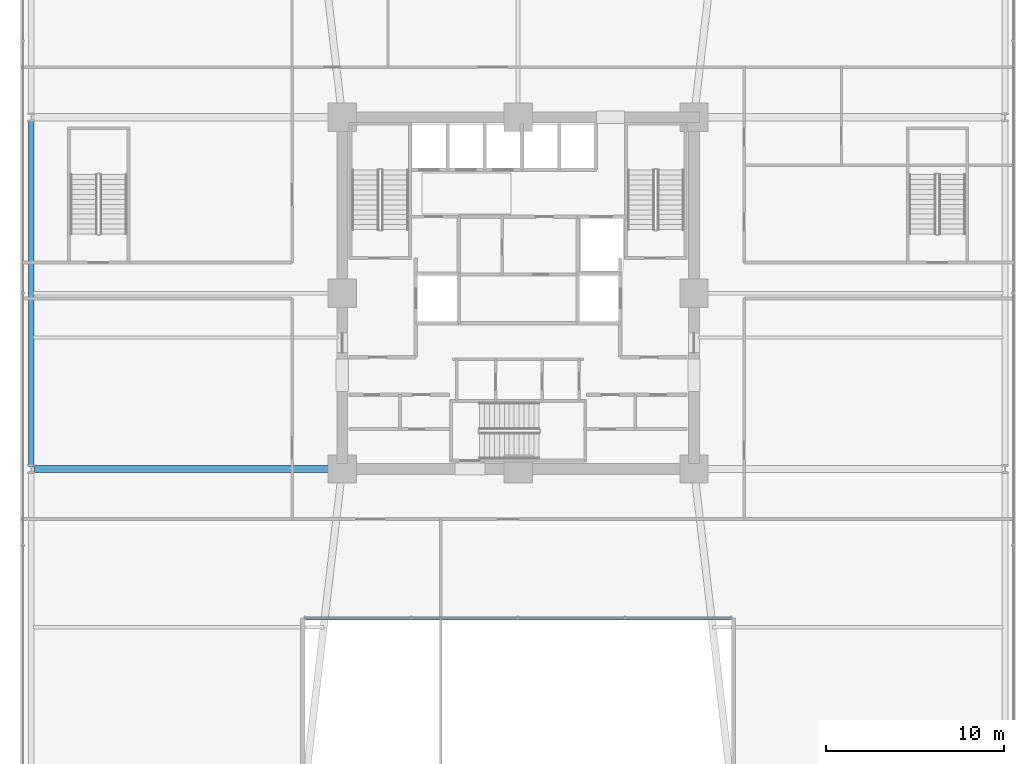
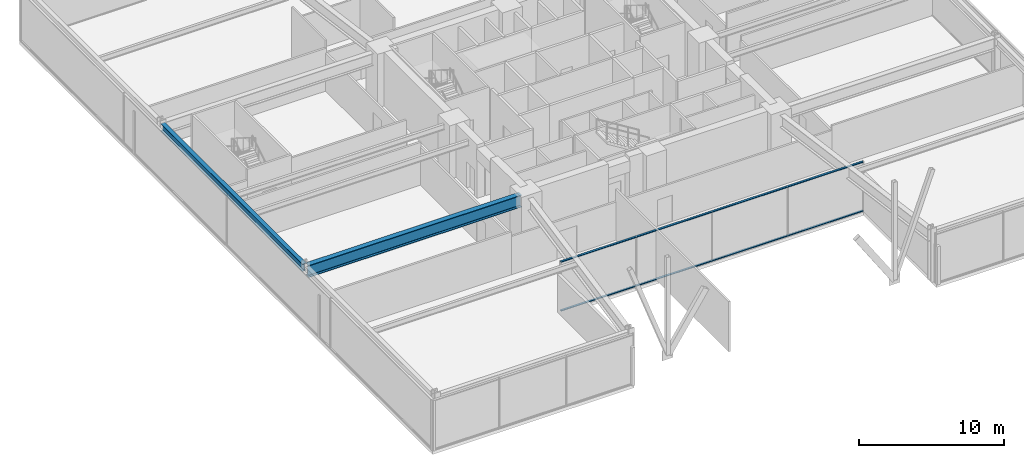
# One storey, part 11 of 47: 2 beams, 2 members, 1 element without a shape of its own.
"""IFC4 building model written with IfcOpenShell, lengths in metres."""

from ifc_helpers import new_model, si_unit, direction, frame, origin, origin_2d, place, context, subcontext, project, spatial, hollow_rectangle, i_section, extrude, material, material_profile, profile_set, type_object, element, aggregate, save


model = new_model("IFC4")

# Units and contexts
model_context = context("Model", 3, precision=1e-05, world=origin(), true_north=direction((0.0, 1.0)))
body_context = subcontext(model_context, "Body", "Model", "MODEL_VIEW")
ifc_project = project(units=[si_unit("LENGTHUNIT", "METRE"), si_unit("AREAUNIT", "SQUARE_METRE"), si_unit("VOLUMEUNIT", "CUBIC_METRE"), si_unit("PLANEANGLEUNIT", "RADIAN"), si_unit("MASSUNIT", "GRAM", prefix="KILO")], contexts=[model_context])

# Site, building, storey
site_placement = place(None, origin())
site = spatial("IfcSite", under=ifc_project, at=site_placement, CompositionType="ELEMENT")
building_placement = place(site_placement, origin())
building = spatial("IfcBuilding", under=site, at=building_placement, Name="Kolvaren Belvedere", CompositionType="ELEMENT")
storey_placement = place(building_placement, frame((0.0, 0.0, 5.5)))
storey = spatial("IfcBuildingStorey", under=building, at=storey_placement, Name="L02", CompositionType="ELEMENT", Elevation=5.5)

# Beams
ifc_material_1 = material(Name="Structural steel ASTM A992 Grade 50", Category="steel")
ifc_material_profile_1 = material_profile(ifc_material_1, i_section(OverallWidth=0.40087890625, OverallDepth=1.010986328125, WebThickness=0.023681640625, FlangeThickness=0.0419921875, FilletRadius=0.030029296875, at=origin_2d()), Name="W40X297")
ifc_profile_set_1 = profile_set([ifc_material_profile_1], Name="Structural steel ASTM A992 Grade 50")
beam_type_1 = type_object("IfcBeamType", Name="BM-BALL-W40X297", PredefinedType="BEAM", material=ifc_profile_set_1)
beam_1_placement = place(storey_placement, frame((-27.25, -9.89990234375, 3.714599609375), z_axis=(1.0, 0.0, 0.0), x_axis=(0.0, 1.0, 0.0)))
element("IfcBeam", 1, at=beam_1_placement, inside=storey, type_object=beam_type_1, Name="L02 West Interior Girder S", PredefinedType="BEAM", context=body_context, shape_type="SweptSolid", body=[
    extrude(i_section(OverallWidth=0.40087890625, OverallDepth=1.010986328125, WebThickness=0.023681640625, FlangeThickness=0.0419921875, FilletRadius=0.030029296875, at=origin_2d()), origin(), (0.0, 0.0, 1.0), 16.89990234375),
])
ifc_material_2 = material(Name="Structural steel ASTM A992 Grade 50", Category="steel")
ifc_material_profile_2 = material_profile(ifc_material_2, i_section(OverallWidth=0.324951171875, OverallDepth=0.615966796875, WebThickness=0.013916015625, FlangeThickness=0.021484375, FilletRadius=0.02001953125, at=origin_2d()), Name="W24X117")
ifc_profile_set_2 = profile_set([ifc_material_profile_2], Name="Structural steel ASTM A992 Grade 50")
beam_type_2 = type_object("IfcBeamType", Name="BM-SPAN-W24X117", PredefinedType="SPANDREL", material=ifc_profile_set_2)
beam_2_placement = place(storey_placement, frame((-27.39990234375, -9.75, 3.912109375), z_axis=(0.0, 1.0, 0.0), x_axis=(-1.0, 0.0, 0.0)))
element("IfcBeam", 2, at=beam_2_placement, inside=storey, type_object=beam_type_2, Name="L02 W Podium Spandrel 2", PredefinedType="SPANDREL", context=body_context, shape_type="SweptSolid", body=[
    extrude(i_section(OverallWidth=0.324951171875, OverallDepth=0.615966796875, WebThickness=0.013916015625, FlangeThickness=0.021484375, FilletRadius=0.02001953125, at=origin_2d()), origin(), (0.0, 0.0, 1.0), 19.5),
])

# Curtain wall, members
ifc_material_3 = material(Name="Anodised pale-metal aluminium AA 6063-T6", Category="aluminium")
curtain_wall_type = type_object("IfcCurtainWallType", Name="CW-POD-A", PredefinedType="NOTDEFINED", material=ifc_material_3)
curtain_wall_placement = place(storey_placement, origin())
curtain_wall = element("IfcCurtainWall", 3, at=curtain_wall_placement, inside=storey, type_object=curtain_wall_type, Name="L02 Unitised Curtain Wall FCW-L02-SEG3", PredefinedType="NOTDEFINED")
ifc_material_4 = material(Name="Anodised pale-metal aluminium AA 6063-T6", Category="aluminium")
ifc_material_profile_3 = material_profile(ifc_material_4, hollow_rectangle(XDim=0.06494140625, YDim=0.159912109375, WallThickness=0.00390625, at=origin_2d()), Name="ALU-TRN-160X65")
ifc_profile_set_3 = profile_set([ifc_material_profile_3], Name="Anodised pale-metal aluminium AA 6063-T6")
member_type = type_object("IfcMemberType", Name="CW-TRN-160", PredefinedType="USERDEFINED", material=ifc_profile_set_3)
member_1_placement = place(storey_placement, frame((12.0, -18.280029296875, 0.06005859375), z_axis=(-1.0, 0.0, 0.0), x_axis=(0.0, 0.0, 1.0)))
member_1 = element("IfcMember", 4, at=member_1_placement, type_object=member_type, Name="FCW-L02-SEG3 Sill Transom", ObjectType="TRANSOM", PredefinedType="USERDEFINED", context=body_context, shape_type="SweptSolid", body=[
    extrude(hollow_rectangle(XDim=0.06494140625, YDim=0.159912109375, WallThickness=0.00390625, at=origin_2d()), origin(), (0.0, 0.0, 1.0), 24.0),
])
member_2_placement = place(storey_placement, frame((12.0, -18.280029296875, 4.159912109375), z_axis=(-1.0, 0.0, 0.0), x_axis=(0.0, 0.0, 1.0)))
member_2 = element("IfcMember", 5, at=member_2_placement, type_object=member_type, Name="FCW-L02-SEG3 Head Transom", ObjectType="TRANSOM", PredefinedType="USERDEFINED", context=body_context, shape_type="SweptSolid", body=[
    extrude(hollow_rectangle(XDim=0.06494140625, YDim=0.159912109375, WallThickness=0.00390625, at=origin_2d()), origin(), (0.0, 0.0, 1.0), 24.0),
])
aggregate(curtain_wall, [member_1, member_2])

save(model, "model.ifc")
